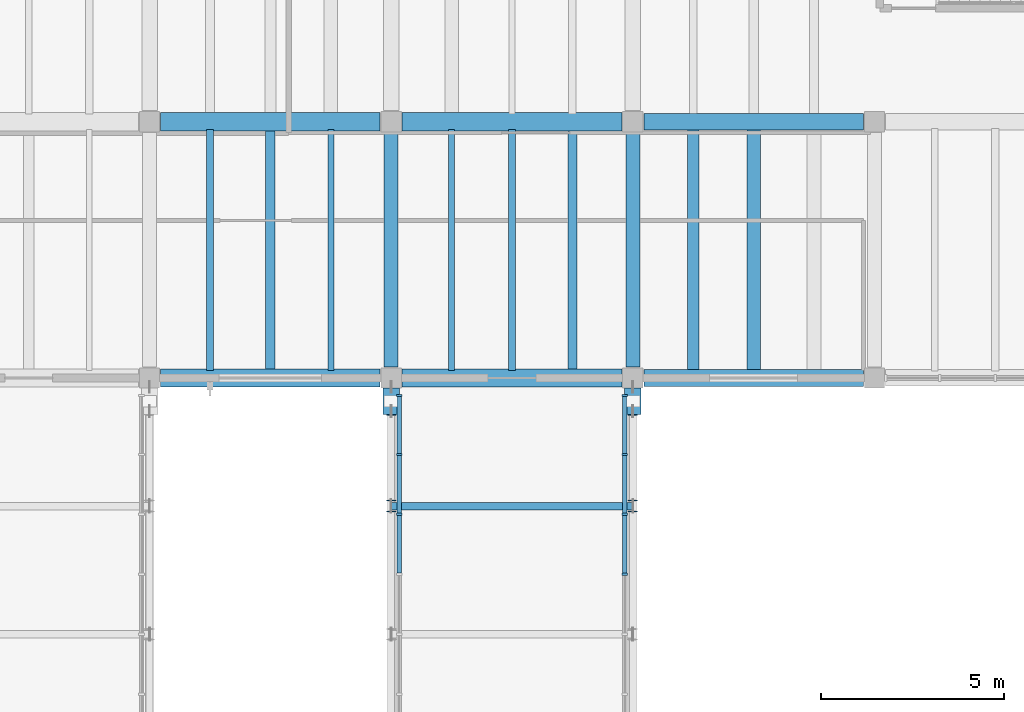
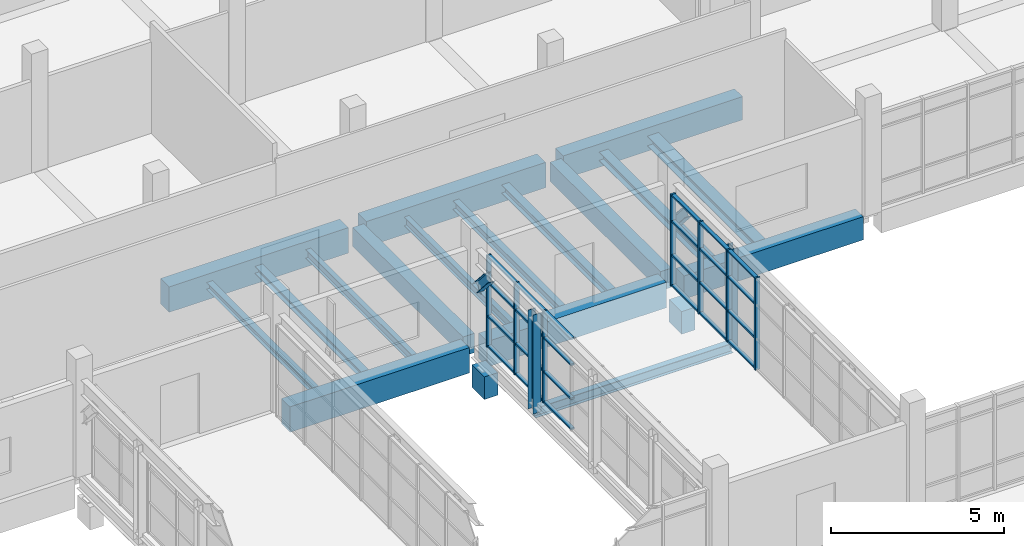
# One storey, part 28 of 67: 35 members, 19 beams, 2 elements without a shape of their own.
"""IFC4 building model written with IfcOpenShell, lengths in metres."""

from ifc_helpers import new_model, si_unit, direction, frame, origin, origin_2d, place, context, subcontext, project, spatial, rectangle, i_section, extrude, material, material_profile, profile_set, type_object, element, aggregate, save


model = new_model("IFC4")

# Units and contexts
model_context = context("Model", 3, precision=1e-05, world=origin(), true_north=direction((0.0, 1.0)))
body_context = subcontext(model_context, "Body", "Model", "MODEL_VIEW")
ifc_project = project(units=[si_unit("LENGTHUNIT", "METRE"), si_unit("AREAUNIT", "SQUARE_METRE"), si_unit("VOLUMEUNIT", "CUBIC_METRE"), si_unit("PLANEANGLEUNIT", "RADIAN"), si_unit("MASSUNIT", "GRAM", prefix="KILO")], contexts=[model_context])

# Site, building, storey
site_placement = place(None, origin())
site = spatial("IfcSite", under=ifc_project, at=site_placement, CompositionType="ELEMENT")
building_placement = place(site_placement, origin())
building = spatial("IfcBuilding", under=site, at=building_placement, Name="Ciguamira Faculty of Natural Sciences", CompositionType="ELEMENT")
storey_placement = place(building_placement, frame((0.0, 0.0, 8.39990234375)))
storey = spatial("IfcBuildingStorey", under=building, at=storey_placement, Name="L02", CompositionType="ELEMENT", Elevation=8.39990234375)

# Curtain wall, members
ifc_material_1 = material(Name="Anodized aluminium curtain wall", Category="aluminium")
curtain_wall_type_1 = type_object("IfcCurtainWallType", Name="CurtainWall_CW-08", PredefinedType="USERDEFINED", material=ifc_material_1)
curtain_wall_1_placement = place(storey_placement, origin())
curtain_wall_1 = element("IfcCurtainWall", 1, at=curtain_wall_1_placement, inside=storey, type_object=curtain_wall_type_1, Name="Link bridge BR-2 glazed curtain wall W", ObjectType="UNITISED CURTAIN WALL", PredefinedType="USERDEFINED")
ifc_material_2 = material(Name="Anodized aluminium mullion", Category="aluminium")
ifc_material_profile_1 = material_profile(ifc_material_2, rectangle(XDim=0.06005859375, YDim=0.159912109375, at=origin_2d()), Name="ALU-MUL-60X160")
ifc_profile_set_1 = profile_set([ifc_material_profile_1], Name="Anodized aluminium mullion")
member_type_1 = type_object("IfcMemberType", Name="CWMullion_CWM-01", PredefinedType="MULLION", material=ifc_profile_set_1)
member_1_placement = place(storey_placement, frame((90.52001953125, 69.27490234375, 0.0), z_axis=(0.0, 0.0, 1.0), x_axis=(0.0, 1.0, 0.0)))
member_1 = element("IfcMember", 2, at=member_1_placement, type_object=member_type_1, Name="CW-08 mullion 7", PredefinedType="MULLION", context=body_context, shape_type="SweptSolid", body=[
    extrude(rectangle(XDim=0.06005859375, YDim=0.159912109375, at=origin_2d()), origin(), (0.0, 0.0, 1.0), 3.25),
])
member_2_placement = place(storey_placement, frame((90.52001953125, 70.91259765625, 0.0), z_axis=(0.0, 0.0, 1.0), x_axis=(0.0, 1.0, 0.0)))
member_2 = element("IfcMember", 3, at=member_2_placement, type_object=member_type_1, Name="CW-08 mullion 8", PredefinedType="MULLION", context=body_context, shape_type="SweptSolid", body=[
    extrude(rectangle(XDim=0.06005859375, YDim=0.159912109375, at=origin_2d()), origin(), (0.0, 0.0, 1.0), 3.25),
])
member_3_placement = place(storey_placement, frame((90.52001953125, 72.52001953125, 0.0), z_axis=(0.0, 0.0, 1.0), x_axis=(0.0, 1.0, 0.0)))
member_3 = element("IfcMember", 4, at=member_3_placement, type_object=member_type_1, Name="CW-08 mullion 9", PredefinedType="MULLION", context=body_context, shape_type="SweptSolid", body=[
    extrude(rectangle(XDim=0.06005859375, YDim=0.159912109375, at=origin_2d()), origin(), (0.0, 0.0, 1.0), 3.25),
])

curtain_wall_type_2 = type_object("IfcCurtainWallType", Name="CurtainWall_CW-09", PredefinedType="USERDEFINED", material=ifc_material_1)
curtain_wall_2_placement = place(storey_placement, origin())
curtain_wall_2 = element("IfcCurtainWall", 5, at=curtain_wall_2_placement, inside=storey, type_object=curtain_wall_type_2, Name="Link bridge BR-2 glazed curtain wall E", ObjectType="UNITISED CURTAIN WALL", PredefinedType="USERDEFINED")
member_4_placement = place(storey_placement, frame((96.679931640625, 67.637451171875, 0.0), z_axis=(0.0, 0.0, 1.0), x_axis=(0.0, 1.0, 0.0)))
member_4 = element("IfcMember", 6, at=member_4_placement, type_object=member_type_1, Name="CW-09 mullion 6", PredefinedType="MULLION", context=body_context, shape_type="SweptSolid", body=[
    extrude(rectangle(XDim=0.06005859375, YDim=0.159912109375, at=origin_2d()), origin(), (0.0, 0.0, 1.0), 3.25),
])
member_5_placement = place(storey_placement, frame((96.679931640625, 69.27490234375, 0.0), z_axis=(0.0, 0.0, 1.0), x_axis=(0.0, 1.0, 0.0)))
member_5 = element("IfcMember", 7, at=member_5_placement, type_object=member_type_1, Name="CW-09 mullion 7", PredefinedType="MULLION", context=body_context, shape_type="SweptSolid", body=[
    extrude(rectangle(XDim=0.06005859375, YDim=0.159912109375, at=origin_2d()), origin(), (0.0, 0.0, 1.0), 3.25),
])
member_6_placement = place(storey_placement, frame((96.679931640625, 70.91259765625, 0.0), z_axis=(0.0, 0.0, 1.0), x_axis=(0.0, 1.0, 0.0)))
member_6 = element("IfcMember", 8, at=member_6_placement, type_object=member_type_1, Name="CW-09 mullion 8", PredefinedType="MULLION", context=body_context, shape_type="SweptSolid", body=[
    extrude(rectangle(XDim=0.06005859375, YDim=0.159912109375, at=origin_2d()), origin(), (0.0, 0.0, 1.0), 3.25),
])
member_7_placement = place(storey_placement, frame((96.679931640625, 72.52001953125, 0.0), z_axis=(0.0, 0.0, 1.0), x_axis=(0.0, 1.0, 0.0)))
member_7 = element("IfcMember", 9, at=member_7_placement, type_object=member_type_1, Name="CW-09 mullion 9", PredefinedType="MULLION", context=body_context, shape_type="SweptSolid", body=[
    extrude(rectangle(XDim=0.06005859375, YDim=0.159912109375, at=origin_2d()), origin(), (0.0, 0.0, 1.0), 3.25),
])

# Member
ifc_material_3 = material(Name="Anodized aluminium transom", Category="aluminium")
ifc_material_profile_2 = material_profile(ifc_material_3, rectangle(XDim=0.06005859375, YDim=0.1201171875, at=origin_2d()), Name="ALU-TRN-60X120")
ifc_profile_set_2 = profile_set([ifc_material_profile_2], Name="Anodized aluminium transom")
member_type_2 = type_object("IfcMemberType", Name="CWTransom_CWT-01", PredefinedType="USERDEFINED", material=ifc_profile_set_2)
member_8_placement = place(storey_placement, frame((90.52001953125, 67.66748046875, 0.030029296875), z_axis=(0.0, 1.0, 0.0), x_axis=(0.0, 0.0, 1.0)))
member_8 = element("IfcMember", 10, at=member_8_placement, type_object=member_type_2, Name="CW-08 transom 6.1", ObjectType="TRANSOM", PredefinedType="USERDEFINED", context=body_context, shape_type="SweptSolid", body=[
    extrude(rectangle(XDim=0.06005859375, YDim=0.1201171875, at=origin_2d()), origin(), (0.0, 0.0, 1.0), 1.57763671875),
])

member_9_placement = place(storey_placement, frame((90.52001953125, 67.66748046875, 1.10009765625), z_axis=(0.0, 1.0, 0.0), x_axis=(0.0, 0.0, 1.0)))
member_9 = element("IfcMember", 11, at=member_9_placement, type_object=member_type_2, Name="CW-08 transom 6.2", ObjectType="TRANSOM", PredefinedType="USERDEFINED", context=body_context, shape_type="SweptSolid", body=[
    extrude(rectangle(XDim=0.06005859375, YDim=0.1201171875, at=origin_2d()), origin(), (0.0, 0.0, 1.0), 1.57763671875),
])

member_10_placement = place(storey_placement, frame((90.52001953125, 67.66748046875, 2.300048828125), z_axis=(0.0, 1.0, 0.0), x_axis=(0.0, 0.0, 1.0)))
member_10 = element("IfcMember", 12, at=member_10_placement, type_object=member_type_2, Name="CW-08 transom 6.3", ObjectType="TRANSOM", PredefinedType="USERDEFINED", context=body_context, shape_type="SweptSolid", body=[
    extrude(rectangle(XDim=0.06005859375, YDim=0.1201171875, at=origin_2d()), origin(), (0.0, 0.0, 1.0), 1.57763671875),
])

member_11_placement = place(storey_placement, frame((90.52001953125, 67.66748046875, 3.22021484375), z_axis=(0.0, 1.0, 0.0), x_axis=(0.0, 0.0, 1.0)))
member_11 = element("IfcMember", 13, at=member_11_placement, type_object=member_type_2, Name="CW-08 transom 6.4", ObjectType="TRANSOM", PredefinedType="USERDEFINED", context=body_context, shape_type="SweptSolid", body=[
    extrude(rectangle(XDim=0.06005859375, YDim=0.1201171875, at=origin_2d()), origin(), (0.0, 0.0, 1.0), 1.57763671875),
])

member_12_placement = place(storey_placement, frame((90.52001953125, 69.304931640625, 0.030029296875), z_axis=(0.0, 1.0, 0.0), x_axis=(0.0, 0.0, 1.0)))
member_12 = element("IfcMember", 14, at=member_12_placement, type_object=member_type_2, Name="CW-08 transom 7.1", ObjectType="TRANSOM", PredefinedType="USERDEFINED", context=body_context, shape_type="SweptSolid", body=[
    extrude(rectangle(XDim=0.06005859375, YDim=0.1201171875, at=origin_2d()), origin(), (0.0, 0.0, 1.0), 1.57763671875),
])

member_13_placement = place(storey_placement, frame((90.52001953125, 69.304931640625, 1.10009765625), z_axis=(0.0, 1.0, 0.0), x_axis=(0.0, 0.0, 1.0)))
member_13 = element("IfcMember", 15, at=member_13_placement, type_object=member_type_2, Name="CW-08 transom 7.2", ObjectType="TRANSOM", PredefinedType="USERDEFINED", context=body_context, shape_type="SweptSolid", body=[
    extrude(rectangle(XDim=0.06005859375, YDim=0.1201171875, at=origin_2d()), origin(), (0.0, 0.0, 1.0), 1.57763671875),
])

member_14_placement = place(storey_placement, frame((90.52001953125, 69.304931640625, 2.300048828125), z_axis=(0.0, 1.0, 0.0), x_axis=(0.0, 0.0, 1.0)))
member_14 = element("IfcMember", 16, at=member_14_placement, type_object=member_type_2, Name="CW-08 transom 7.3", ObjectType="TRANSOM", PredefinedType="USERDEFINED", context=body_context, shape_type="SweptSolid", body=[
    extrude(rectangle(XDim=0.06005859375, YDim=0.1201171875, at=origin_2d()), origin(), (0.0, 0.0, 1.0), 1.57763671875),
])

member_15_placement = place(storey_placement, frame((90.52001953125, 69.304931640625, 3.22021484375), z_axis=(0.0, 1.0, 0.0), x_axis=(0.0, 0.0, 1.0)))
member_15 = element("IfcMember", 17, at=member_15_placement, type_object=member_type_2, Name="CW-08 transom 7.4", ObjectType="TRANSOM", PredefinedType="USERDEFINED", context=body_context, shape_type="SweptSolid", body=[
    extrude(rectangle(XDim=0.06005859375, YDim=0.1201171875, at=origin_2d()), origin(), (0.0, 0.0, 1.0), 1.57763671875),
])

member_16_placement = place(storey_placement, frame((90.52001953125, 70.9423828125, 0.030029296875), z_axis=(0.0, 1.0, 0.0), x_axis=(0.0, 0.0, 1.0)))
member_16 = element("IfcMember", 18, at=member_16_placement, type_object=member_type_2, Name="CW-08 transom 8.1", ObjectType="TRANSOM", PredefinedType="USERDEFINED", context=body_context, shape_type="SweptSolid", body=[
    extrude(rectangle(XDim=0.06005859375, YDim=0.1201171875, at=origin_2d()), origin(), (0.0, 0.0, 1.0), 1.547607421875),
])

member_17_placement = place(storey_placement, frame((90.52001953125, 70.9423828125, 1.10009765625), z_axis=(0.0, 1.0, 0.0), x_axis=(0.0, 0.0, 1.0)))
member_17 = element("IfcMember", 19, at=member_17_placement, type_object=member_type_2, Name="CW-08 transom 8.2", ObjectType="TRANSOM", PredefinedType="USERDEFINED", context=body_context, shape_type="SweptSolid", body=[
    extrude(rectangle(XDim=0.06005859375, YDim=0.1201171875, at=origin_2d()), origin(), (0.0, 0.0, 1.0), 1.547607421875),
])

member_18_placement = place(storey_placement, frame((90.52001953125, 70.9423828125, 2.300048828125), z_axis=(0.0, 1.0, 0.0), x_axis=(0.0, 0.0, 1.0)))
member_18 = element("IfcMember", 20, at=member_18_placement, type_object=member_type_2, Name="CW-08 transom 8.3", ObjectType="TRANSOM", PredefinedType="USERDEFINED", context=body_context, shape_type="SweptSolid", body=[
    extrude(rectangle(XDim=0.06005859375, YDim=0.1201171875, at=origin_2d()), origin(), (0.0, 0.0, 1.0), 1.547607421875),
])

member_19_placement = place(storey_placement, frame((90.52001953125, 70.9423828125, 3.22021484375), z_axis=(0.0, 1.0, 0.0), x_axis=(0.0, 0.0, 1.0)))
member_19 = element("IfcMember", 21, at=member_19_placement, type_object=member_type_2, Name="CW-08 transom 8.4", ObjectType="TRANSOM", PredefinedType="USERDEFINED", context=body_context, shape_type="SweptSolid", body=[
    extrude(rectangle(XDim=0.06005859375, YDim=0.1201171875, at=origin_2d()), origin(), (0.0, 0.0, 1.0), 1.547607421875),
])

aggregate(curtain_wall_1, [member_1, member_2, member_3, member_8, member_9, member_10, member_11, member_12, member_13, member_14, member_15, member_16, member_17, member_18, member_19])

member_20_placement = place(storey_placement, frame((96.679931640625, 67.66748046875, 0.030029296875), z_axis=(0.0, 1.0, 0.0), x_axis=(0.0, 0.0, 1.0)))
member_20 = element("IfcMember", 22, at=member_20_placement, type_object=member_type_2, Name="CW-09 transom 6.1", ObjectType="TRANSOM", PredefinedType="USERDEFINED", context=body_context, shape_type="SweptSolid", body=[
    extrude(rectangle(XDim=0.06005859375, YDim=0.1201171875, at=origin_2d()), origin(), (0.0, 0.0, 1.0), 1.57763671875),
])

member_21_placement = place(storey_placement, frame((96.679931640625, 67.66748046875, 1.10009765625), z_axis=(0.0, 1.0, 0.0), x_axis=(0.0, 0.0, 1.0)))
member_21 = element("IfcMember", 23, at=member_21_placement, type_object=member_type_2, Name="CW-09 transom 6.2", ObjectType="TRANSOM", PredefinedType="USERDEFINED", context=body_context, shape_type="SweptSolid", body=[
    extrude(rectangle(XDim=0.06005859375, YDim=0.1201171875, at=origin_2d()), origin(), (0.0, 0.0, 1.0), 1.57763671875),
])

member_22_placement = place(storey_placement, frame((96.679931640625, 67.66748046875, 2.300048828125), z_axis=(0.0, 1.0, 0.0), x_axis=(0.0, 0.0, 1.0)))
member_22 = element("IfcMember", 24, at=member_22_placement, type_object=member_type_2, Name="CW-09 transom 6.3", ObjectType="TRANSOM", PredefinedType="USERDEFINED", context=body_context, shape_type="SweptSolid", body=[
    extrude(rectangle(XDim=0.06005859375, YDim=0.1201171875, at=origin_2d()), origin(), (0.0, 0.0, 1.0), 1.57763671875),
])

member_23_placement = place(storey_placement, frame((96.679931640625, 67.66748046875, 3.22021484375), z_axis=(0.0, 1.0, 0.0), x_axis=(0.0, 0.0, 1.0)))
member_23 = element("IfcMember", 25, at=member_23_placement, type_object=member_type_2, Name="CW-09 transom 6.4", ObjectType="TRANSOM", PredefinedType="USERDEFINED", context=body_context, shape_type="SweptSolid", body=[
    extrude(rectangle(XDim=0.06005859375, YDim=0.1201171875, at=origin_2d()), origin(), (0.0, 0.0, 1.0), 1.57763671875),
])

member_24_placement = place(storey_placement, frame((96.679931640625, 69.304931640625, 0.030029296875), z_axis=(0.0, 1.0, 0.0), x_axis=(0.0, 0.0, 1.0)))
member_24 = element("IfcMember", 26, at=member_24_placement, type_object=member_type_2, Name="CW-09 transom 7.1", ObjectType="TRANSOM", PredefinedType="USERDEFINED", context=body_context, shape_type="SweptSolid", body=[
    extrude(rectangle(XDim=0.06005859375, YDim=0.1201171875, at=origin_2d()), origin(), (0.0, 0.0, 1.0), 1.57763671875),
])

member_25_placement = place(storey_placement, frame((96.679931640625, 69.304931640625, 1.10009765625), z_axis=(0.0, 1.0, 0.0), x_axis=(0.0, 0.0, 1.0)))
member_25 = element("IfcMember", 27, at=member_25_placement, type_object=member_type_2, Name="CW-09 transom 7.2", ObjectType="TRANSOM", PredefinedType="USERDEFINED", context=body_context, shape_type="SweptSolid", body=[
    extrude(rectangle(XDim=0.06005859375, YDim=0.1201171875, at=origin_2d()), origin(), (0.0, 0.0, 1.0), 1.57763671875),
])

member_26_placement = place(storey_placement, frame((96.679931640625, 69.304931640625, 2.300048828125), z_axis=(0.0, 1.0, 0.0), x_axis=(0.0, 0.0, 1.0)))
member_26 = element("IfcMember", 28, at=member_26_placement, type_object=member_type_2, Name="CW-09 transom 7.3", ObjectType="TRANSOM", PredefinedType="USERDEFINED", context=body_context, shape_type="SweptSolid", body=[
    extrude(rectangle(XDim=0.06005859375, YDim=0.1201171875, at=origin_2d()), origin(), (0.0, 0.0, 1.0), 1.57763671875),
])

member_27_placement = place(storey_placement, frame((96.679931640625, 69.304931640625, 3.22021484375), z_axis=(0.0, 1.0, 0.0), x_axis=(0.0, 0.0, 1.0)))
member_27 = element("IfcMember", 29, at=member_27_placement, type_object=member_type_2, Name="CW-09 transom 7.4", ObjectType="TRANSOM", PredefinedType="USERDEFINED", context=body_context, shape_type="SweptSolid", body=[
    extrude(rectangle(XDim=0.06005859375, YDim=0.1201171875, at=origin_2d()), origin(), (0.0, 0.0, 1.0), 1.57763671875),
])

member_28_placement = place(storey_placement, frame((96.679931640625, 70.9423828125, 0.030029296875), z_axis=(0.0, 1.0, 0.0), x_axis=(0.0, 0.0, 1.0)))
member_28 = element("IfcMember", 30, at=member_28_placement, type_object=member_type_2, Name="CW-09 transom 8.1", ObjectType="TRANSOM", PredefinedType="USERDEFINED", context=body_context, shape_type="SweptSolid", body=[
    extrude(rectangle(XDim=0.06005859375, YDim=0.1201171875, at=origin_2d()), origin(), (0.0, 0.0, 1.0), 1.547607421875),
])

member_29_placement = place(storey_placement, frame((96.679931640625, 70.9423828125, 1.10009765625), z_axis=(0.0, 1.0, 0.0), x_axis=(0.0, 0.0, 1.0)))
member_29 = element("IfcMember", 31, at=member_29_placement, type_object=member_type_2, Name="CW-09 transom 8.2", ObjectType="TRANSOM", PredefinedType="USERDEFINED", context=body_context, shape_type="SweptSolid", body=[
    extrude(rectangle(XDim=0.06005859375, YDim=0.1201171875, at=origin_2d()), origin(), (0.0, 0.0, 1.0), 1.547607421875),
])

member_30_placement = place(storey_placement, frame((96.679931640625, 70.9423828125, 2.300048828125), z_axis=(0.0, 1.0, 0.0), x_axis=(0.0, 0.0, 1.0)))
member_30 = element("IfcMember", 32, at=member_30_placement, type_object=member_type_2, Name="CW-09 transom 8.3", ObjectType="TRANSOM", PredefinedType="USERDEFINED", context=body_context, shape_type="SweptSolid", body=[
    extrude(rectangle(XDim=0.06005859375, YDim=0.1201171875, at=origin_2d()), origin(), (0.0, 0.0, 1.0), 1.547607421875),
])

member_31_placement = place(storey_placement, frame((96.679931640625, 70.9423828125, 3.22021484375), z_axis=(0.0, 1.0, 0.0), x_axis=(0.0, 0.0, 1.0)))
member_31 = element("IfcMember", 33, at=member_31_placement, type_object=member_type_2, Name="CW-09 transom 8.4", ObjectType="TRANSOM", PredefinedType="USERDEFINED", context=body_context, shape_type="SweptSolid", body=[
    extrude(rectangle(XDim=0.06005859375, YDim=0.1201171875, at=origin_2d()), origin(), (0.0, 0.0, 1.0), 1.547607421875),
])

aggregate(curtain_wall_2, [member_4, member_5, member_6, member_7, member_20, member_21, member_22, member_23, member_24, member_25, member_26, member_27, member_28, member_29, member_30, member_31])

# Beams
ifc_material_4 = material(Name="Concrete C40/50", Category="concrete")
ifc_material_profile_3 = material_profile(ifc_material_4, rectangle(XDim=0.5, YDim=0.89990234375, at=origin_2d()), Name="RC-BM-500X900")
ifc_profile_set_3 = profile_set([ifc_material_profile_3], Name="Concrete C40/50")
beam_type_1 = type_object("IfcBeamType", Name="RCBeam_BG-03_RC-BM-500X900", PredefinedType="BEAM", material=ifc_profile_set_3)
for number, where, z_axis, x_axis, name in (
    (34, (84.0, 73.0, -0.449951171875), (1.0, 0.0, 0.0), (0.0, 1.0, 0.0), "L02 RC girder EW-0816"),
    (35, (90.60009765625, 73.0, -0.449951171875), (1.0, 0.0, 0.0), (0.0, 1.0, 0.0), "L02 RC girder EW-0817"),
    (36, (84.0, 80.0, -0.449951171875), (1.0, 0.0, 0.0), (0.0, 1.0, 0.0), "L02 RC girder EW-0825"),
    (37, (90.60009765625, 80.0, -0.449951171875), (1.0, 0.0, 0.0), (0.0, 1.0, 0.0), "L02 RC girder EW-0826"),
):
    element("IfcBeam", number, at=place(storey_placement, frame(where, z_axis=z_axis, x_axis=x_axis)), inside=storey, type_object=beam_type_1, Name=name, PredefinedType="BEAM", context=body_context, shape_type="SweptSolid", body=[
        extrude(rectangle(XDim=0.5, YDim=0.89990234375, at=origin_2d()), origin(), (0.0, 0.0, 1.0), 6.0),
    ])
ifc_material_profile_4 = material_profile(ifc_material_4, rectangle(XDim=0.4599609375, YDim=0.820068359375, at=origin_2d()), Name="RC-BM-460X820")
ifc_profile_set_4 = profile_set([ifc_material_profile_4], Name="Concrete C40/50")
beam_type_2 = type_object("IfcBeamType", Name="RCBeam_BG-04_RC-BM-460X820", PredefinedType="BEAM", material=ifc_profile_set_4)
for number, where, z_axis, x_axis, name in (
    (38, (97.199951171875, 73.0, -0.409912109375), (1.0, 0.0, 0.0), (0.0, 1.0, 0.0), "L02 RC girder EW-0818"),
    (39, (97.199951171875, 80.0, -0.409912109375), (1.0, 0.0, 0.0), (0.0, 1.0, 0.0), "L02 RC girder EW-0827"),
):
    element("IfcBeam", number, at=place(storey_placement, frame(where, z_axis=z_axis, x_axis=x_axis)), inside=storey, type_object=beam_type_2, Name=name, PredefinedType="BEAM", context=body_context, shape_type="SweptSolid", body=[
        extrude(rectangle(XDim=0.4599609375, YDim=0.820068359375, at=origin_2d()), origin(), (0.0, 0.0, 1.0), 6.0),
    ])
ifc_material_profile_5 = material_profile(ifc_material_4, rectangle(XDim=0.449951171875, YDim=0.800048828125, at=origin_2d()), Name="RC-BM-450X800")
ifc_profile_set_5 = profile_set([ifc_material_profile_5], Name="Concrete C40/50")
beam_type_3 = type_object("IfcBeamType", Name="RCBeam_BG-05_RC-BM-450X800", PredefinedType="BEAM", material=ifc_profile_set_5)
for number, where, z_axis, x_axis, name in (
    (40, (90.300048828125, 72.0048828125, -1.015625), (0.0, 1.0, 0.0), (-1.0, 0.0, 0.0), "Link bridge BR-2 sliding north RC corbel seat 1"),
    (41, (96.89990234375, 72.0048828125, -1.015625), (0.0, 1.0, 0.0), (-1.0, 0.0, 0.0), "Link bridge BR-2 sliding north RC corbel seat 2"),
):
    element("IfcBeam", number, at=place(storey_placement, frame(where, z_axis=z_axis, x_axis=x_axis)), inside=storey, type_object=beam_type_3, Name=name, PredefinedType="BEAM", context=body_context, shape_type="SweptSolid", body=[
        extrude(rectangle(XDim=0.449951171875, YDim=0.800048828125, at=origin_2d()), origin(), (0.0, 0.0, 1.0), 0.72021484375),
    ])
ifc_material_profile_6 = material_profile(ifc_material_4, rectangle(XDim=0.3798828125, YDim=0.679931640625, at=origin_2d()), Name="RC-BM-380X680")
ifc_profile_set_6 = profile_set([ifc_material_profile_6], Name="Concrete C40/50")
beam_type_4 = type_object("IfcBeamType", Name="RCBeam_BG-09_RC-BM-380X680", PredefinedType="BEAM", material=ifc_profile_set_6)
for number, where, z_axis, x_axis, name in (
    (42, (90.300048828125, 73.300048828125, -0.33984375), (0.0, 1.0, 0.0), (-1.0, 0.0, 0.0), "L02 girder NS-0959"),
    (43, (96.89990234375, 73.300048828125, -0.33984375), (0.0, 1.0, 0.0), (-1.0, 0.0, 0.0), "L02 girder NS-0970"),
):
    element("IfcBeam", number, at=place(storey_placement, frame(where, z_axis=z_axis, x_axis=x_axis)), inside=storey, type_object=beam_type_4, Name=name, PredefinedType="BEAM", context=body_context, shape_type="SweptSolid", body=[
        extrude(rectangle(XDim=0.3798828125, YDim=0.679931640625, at=origin_2d()), origin(), (0.0, 0.0, 1.0), 6.39990234375),
    ])
ifc_material_5 = material(Name="Steel ASTM A992 Grade 50", Category="steel")
ifc_material_profile_7 = material_profile(ifc_material_5, i_section(OverallWidth=0.2021484375, OverallDepth=0.2470703125, WebThickness=0.00732421875, FlangeThickness=0.010986328125, at=origin_2d()), Name="W10X33")
ifc_profile_set_7 = profile_set([ifc_material_profile_7], Name="Steel ASTM A992 Grade 50")
beam_type_5 = type_object("IfcBeamType", Name="SteelJoist_SJ-02_W10X33", PredefinedType="JOIST", material=ifc_profile_set_7)
beam_1_placement = place(storey_placement, frame((85.35009765625, 73.2099609375, -0.403564453125), z_axis=(0.0, 1.0, 0.0), x_axis=(-1.0, 0.0, 0.0)))
element("IfcBeam", 44, at=beam_1_placement, inside=storey, type_object=beam_type_5, Name="L02 composite steel joist 00828", PredefinedType="JOIST", context=body_context, shape_type="SweptSolid", body=[
    extrude(i_section(OverallWidth=0.2021484375, OverallDepth=0.2470703125, WebThickness=0.00732421875, FlangeThickness=0.010986328125, at=origin_2d()), origin(), (0.0, 0.0, 1.0), 6.580078125),
])
ifc_material_profile_8 = material_profile(ifc_material_5, i_section(OverallWidth=0.25390625, OverallDepth=0.25390625, WebThickness=0.008544921875, FlangeThickness=0.01416015625, at=origin_2d()), Name="W10X49")
ifc_profile_set_8 = profile_set([ifc_material_profile_8], Name="Steel ASTM A992 Grade 50")
beam_type_6 = type_object("IfcBeamType", Name="SteelJoist_SJ-03_W10X49", PredefinedType="JOIST", material=ifc_profile_set_8)
beam_2_placement = place(storey_placement, frame((87.0, 73.2099609375, -0.406982421875), z_axis=(0.0, 1.0, 0.0), x_axis=(-1.0, 0.0, 0.0)))
element("IfcBeam", 45, at=beam_2_placement, inside=storey, type_object=beam_type_6, Name="L02 composite steel joist 00829", PredefinedType="JOIST", context=body_context, shape_type="SweptSolid", body=[
    extrude(i_section(OverallWidth=0.25390625, OverallDepth=0.25390625, WebThickness=0.008544921875, FlangeThickness=0.01416015625, at=origin_2d()), origin(), (0.0, 0.0, 1.0), 6.580078125),
])
ifc_material_profile_9 = material_profile(ifc_material_5, i_section(OverallWidth=0.164794921875, OverallDepth=0.309814453125, WebThickness=0.005859375, FlangeThickness=0.009765625, at=origin_2d()), Name="W12X26")
ifc_profile_set_9 = profile_set([ifc_material_profile_9], Name="Steel ASTM A992 Grade 50")
beam_type_7 = type_object("IfcBeamType", Name="SteelJoist_SJ-04_W12X26", PredefinedType="JOIST", material=ifc_profile_set_9)
beam_3_placement = place(storey_placement, frame((88.64990234375, 73.2099609375, -0.434814453125), z_axis=(0.0, 1.0, 0.0), x_axis=(-1.0, 0.0, 0.0)))
element("IfcBeam", 46, at=beam_3_placement, inside=storey, type_object=beam_type_7, Name="L02 composite steel joist 00830", PredefinedType="JOIST", context=body_context, shape_type="SweptSolid", body=[
    extrude(i_section(OverallWidth=0.164794921875, OverallDepth=0.309814453125, WebThickness=0.005859375, FlangeThickness=0.009765625, at=origin_2d()), origin(), (0.0, 0.0, 1.0), 6.580078125),
])
ifc_material_profile_10 = material_profile(ifc_material_5, i_section(OverallWidth=0.16650390625, OverallDepth=0.3173828125, WebThickness=0.007568359375, FlangeThickness=0.01318359375, at=origin_2d()), Name="W12X35")
ifc_profile_set_10 = profile_set([ifc_material_profile_10], Name="Steel ASTM A992 Grade 50")
beam_type_8 = type_object("IfcBeamType", Name="SteelJoist_SJ-05_W12X35", PredefinedType="JOIST", material=ifc_profile_set_10)
beam_4_placement = place(storey_placement, frame((91.949951171875, 73.2099609375, -0.438720703125), z_axis=(0.0, 1.0, 0.0), x_axis=(-1.0, 0.0, 0.0)))
element("IfcBeam", 47, at=beam_4_placement, inside=storey, type_object=beam_type_8, Name="L02 composite steel joist 00853", PredefinedType="JOIST", context=body_context, shape_type="SweptSolid", body=[
    extrude(i_section(OverallWidth=0.16650390625, OverallDepth=0.3173828125, WebThickness=0.007568359375, FlangeThickness=0.01318359375, at=origin_2d()), origin(), (0.0, 0.0, 1.0), 6.580078125),
])
ifc_material_profile_11 = material_profile(ifc_material_5, i_section(OverallWidth=0.20458984375, OverallDepth=0.307373046875, WebThickness=0.008544921875, FlangeThickness=0.0146484375, at=origin_2d()), Name="W12X45")
ifc_profile_set_11 = profile_set([ifc_material_profile_11], Name="Steel ASTM A992 Grade 50")
beam_type_9 = type_object("IfcBeamType", Name="SteelJoist_SJ-06_W12X45", PredefinedType="JOIST", material=ifc_profile_set_11)
beam_5_placement = place(storey_placement, frame((93.60009765625, 73.2099609375, -0.43359375), z_axis=(0.0, 1.0, 0.0), x_axis=(-1.0, 0.0, 0.0)))
element("IfcBeam", 48, at=beam_5_placement, inside=storey, type_object=beam_type_9, Name="L02 composite steel joist 00854", PredefinedType="JOIST", context=body_context, shape_type="SweptSolid", body=[
    extrude(i_section(OverallWidth=0.20458984375, OverallDepth=0.307373046875, WebThickness=0.008544921875, FlangeThickness=0.0146484375, at=origin_2d()), origin(), (0.0, 0.0, 1.0), 6.580078125),
])
ifc_material_profile_12 = material_profile(ifc_material_5, i_section(OverallWidth=0.25390625, OverallDepth=0.307373046875, WebThickness=0.0087890625, FlangeThickness=0.0146484375, at=origin_2d()), Name="W12X53")
ifc_profile_set_12 = profile_set([ifc_material_profile_12], Name="Steel ASTM A992 Grade 50")
beam_type_10 = type_object("IfcBeamType", Name="SteelJoist_SJ-07_W12X53", PredefinedType="JOIST", material=ifc_profile_set_12)
beam_6_placement = place(storey_placement, frame((95.25, 73.2099609375, -0.43359375), z_axis=(0.0, 1.0, 0.0), x_axis=(-1.0, 0.0, 0.0)))
element("IfcBeam", 49, at=beam_6_placement, inside=storey, type_object=beam_type_10, Name="L02 composite steel joist 00855", PredefinedType="JOIST", context=body_context, shape_type="SweptSolid", body=[
    extrude(i_section(OverallWidth=0.25390625, OverallDepth=0.307373046875, WebThickness=0.0087890625, FlangeThickness=0.0146484375, at=origin_2d()), origin(), (0.0, 0.0, 1.0), 6.580078125),
])
ifc_material_profile_13 = material_profile(ifc_material_5, i_section(OverallWidth=0.3046875, OverallDepth=0.307373046875, WebThickness=0.010009765625, FlangeThickness=0.015380859375, at=origin_2d()), Name="W12X65")
ifc_profile_set_13 = profile_set([ifc_material_profile_13], Name="Steel ASTM A992 Grade 50")
beam_type_11 = type_object("IfcBeamType", Name="SteelJoist_SJ-08_W12X65", PredefinedType="JOIST", material=ifc_profile_set_13)
beam_7_placement = place(storey_placement, frame((98.550048828125, 73.18994140625, -0.43359375), z_axis=(0.0, 1.0, 0.0), x_axis=(-1.0, 0.0, 0.0)))
element("IfcBeam", 50, at=beam_7_placement, inside=storey, type_object=beam_type_11, Name="L02 composite steel joist 00879", PredefinedType="JOIST", context=body_context, shape_type="SweptSolid", body=[
    extrude(i_section(OverallWidth=0.3046875, OverallDepth=0.307373046875, WebThickness=0.010009765625, FlangeThickness=0.015380859375, at=origin_2d()), origin(), (0.0, 0.0, 1.0), 6.6201171875),
])
ifc_material_profile_14 = material_profile(ifc_material_5, i_section(OverallWidth=0.370849609375, OverallDepth=0.36328125, WebThickness=0.013427734375, FlangeThickness=0.021728515625, at=origin_2d()), Name="W14X109")
ifc_profile_set_14 = profile_set([ifc_material_profile_14], Name="Steel ASTM A992 Grade 50")
beam_type_12 = type_object("IfcBeamType", Name="SteelJoist_SJ-09_W14X109", PredefinedType="JOIST", material=ifc_profile_set_14)
beam_8_placement = place(storey_placement, frame((100.199951171875, 73.18994140625, -0.46142578125), z_axis=(0.0, 1.0, 0.0), x_axis=(-1.0, 0.0, 0.0)))
element("IfcBeam", 51, at=beam_8_placement, inside=storey, type_object=beam_type_12, Name="L02 composite steel joist 00880", PredefinedType="JOIST", context=body_context, shape_type="SweptSolid", body=[
    extrude(i_section(OverallWidth=0.370849609375, OverallDepth=0.36328125, WebThickness=0.013427734375, FlangeThickness=0.021728515625, at=origin_2d()), origin(), (0.0, 0.0, 1.0), 6.6201171875),
])
ifc_material_profile_15 = material_profile(ifc_material_5, i_section(OverallWidth=0.203125, OverallDepth=0.347900390625, WebThickness=0.0078125, FlangeThickness=0.013427734375, at=origin_2d()), Name="W14X43")
ifc_profile_set_15 = profile_set([ifc_material_profile_15], Name="Steel ASTM A992 Grade 50")
beam_type_13 = type_object("IfcBeamType", Name="SteelJoist_SJ-12_W14X43", PredefinedType="JOIST", material=ifc_profile_set_15)
beam_9_placement = place(storey_placement, frame((90.300048828125, 69.5, -0.393798828125), z_axis=(1.0, 0.0, 0.0), x_axis=(0.0, 1.0, 0.0)))
element("IfcBeam", 52, at=beam_9_placement, inside=storey, type_object=beam_type_13, Name="Link bridge BR-2 floor crossbeam 3", PredefinedType="JOIST", context=body_context, shape_type="SweptSolid", body=[
    extrude(i_section(OverallWidth=0.203125, OverallDepth=0.347900390625, WebThickness=0.0078125, FlangeThickness=0.013427734375, at=origin_2d()), origin(), (0.0, 0.0, 1.0), 6.599853515625),
])

# Members
ifc_material_profile_16 = material_profile(ifc_material_5, i_section(OverallWidth=0.25390625, OverallDepth=0.307373046875, WebThickness=0.0087890625, FlangeThickness=0.0146484375, at=origin_2d()), Name="W12X53")
ifc_profile_set_16 = profile_set([ifc_material_profile_16], Name="Steel ASTM A992 Grade 50")
member_type_3 = type_object("IfcMemberType", Name="SteelMember_TS-02_W12X53", PredefinedType="STRUT", material=ifc_profile_set_16)
for number, where, z_axis, x_axis, name in (
    (53, (90.300048828125, 69.5, -0.349853515625), (0.0, 0.0, 1.0), (1.0, 0.0, 0.0), "Link bridge BR-2 truss vertical 1-4"),
    (54, (96.89990234375, 69.5, -0.349853515625), (0.0, 0.0, 1.0), (1.0, 0.0, 0.0), "Link bridge BR-2 truss vertical 2-4"),
):
    element("IfcMember", number, at=place(storey_placement, frame(where, z_axis=z_axis, x_axis=x_axis)), inside=storey, type_object=member_type_3, Name=name, PredefinedType="STRUT", context=body_context, shape_type="SweptSolid", body=[
        extrude(i_section(OverallWidth=0.25390625, OverallDepth=0.307373046875, WebThickness=0.0087890625, FlangeThickness=0.0146484375, at=origin_2d()), origin(), (0.0, 0.0, 1.0), 3.5),
    ])
for number, where, z_axis, x_axis, name in (
    (55, (90.300048828125, 72.75, 2.034423828125), (0.0, -0.660578310858, 0.750757147967), (1.0, 0.0, 0.0), "Link bridge BR-4 n corbel knee strut 1"),
    (56, (96.89990234375, 72.75, 2.034423828125), (0.0, -0.660578310858, 0.750757147967), (1.0, 0.0, 0.0), "Link bridge BR-4 n corbel knee strut 2"),
):
    element("IfcMember", number, at=place(storey_placement, frame(where, z_axis=z_axis, x_axis=x_axis)), inside=storey, type_object=member_type_3, Name=name, PredefinedType="STRUT", context=body_context, shape_type="SweptSolid", body=[
        extrude(i_section(OverallWidth=0.25390625, OverallDepth=0.307373046875, WebThickness=0.0087890625, FlangeThickness=0.0146484375, at=origin_2d()), origin(), (0.0, 0.0, 1.0), 0.9990234375),
    ])

save(model, "model.ifc")
